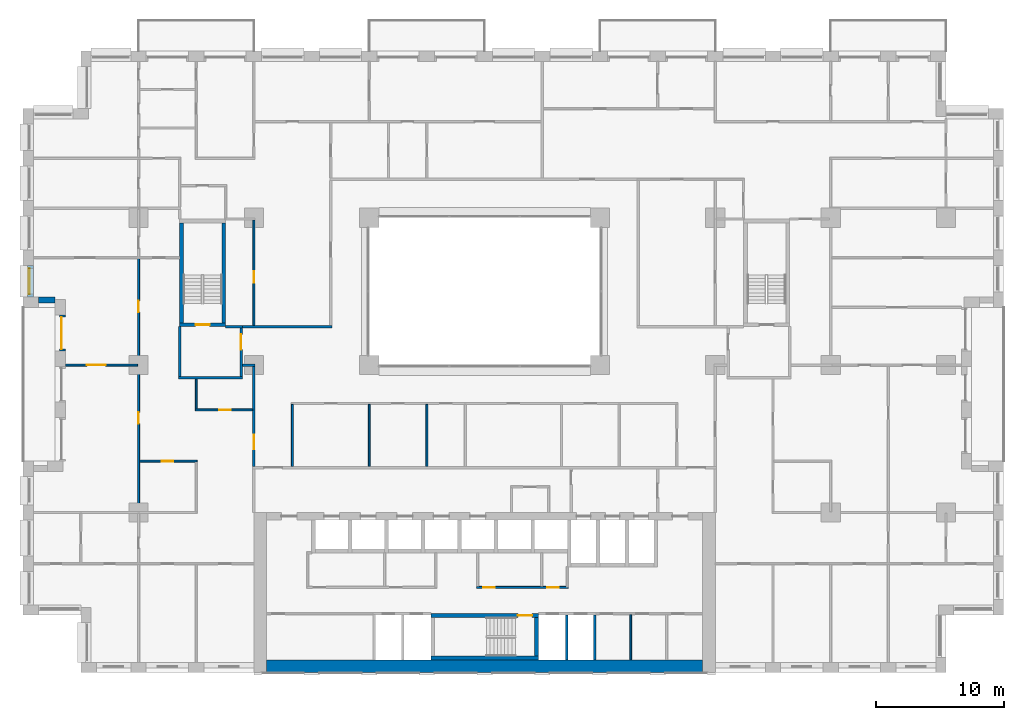
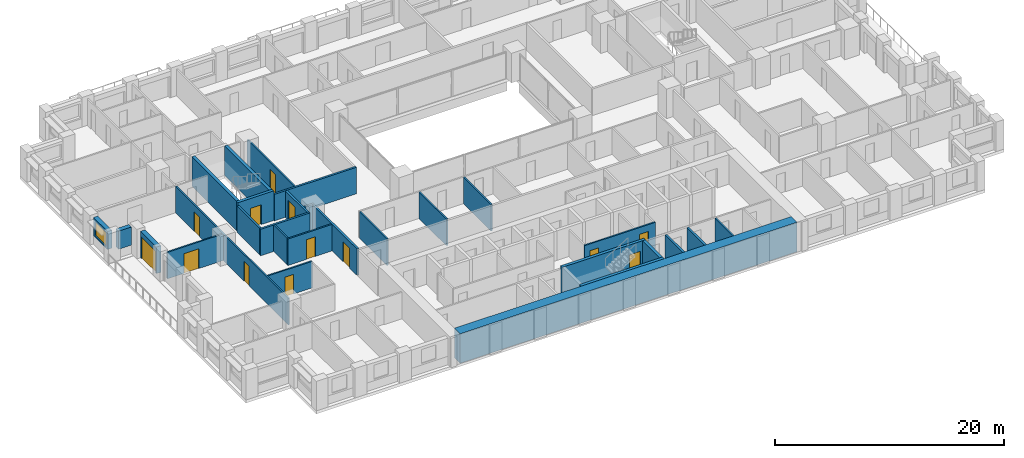
# One storey, part 10 of 20: 30 walls, 13 doors, 1 window, 14 openings.
"""IFC4 building model written with IfcOpenShell, lengths in metres."""

from ifc_helpers import new_model, si_unit, direction, frame, frame_2d, origin, place, context, subcontext, project, spatial, rectangle, extrude, material, layer, layer_set, type_object, element, fill, save


model = new_model("IFC4")

# Units and contexts
model_context = context("Model", 3, precision=1e-05, world=origin(), true_north=direction((0.0, 1.0)))
body_context = subcontext(model_context, "Body", "Model", "MODEL_VIEW")
ifc_project = project(units=[si_unit("LENGTHUNIT", "METRE"), si_unit("AREAUNIT", "SQUARE_METRE"), si_unit("VOLUMEUNIT", "CUBIC_METRE"), si_unit("PLANEANGLEUNIT", "RADIAN"), si_unit("MASSUNIT", "GRAM", prefix="KILO")], contexts=[model_context])

# Site, building, storey
site_placement = place(None, origin())
site = spatial("IfcSite", under=ifc_project, at=site_placement, CompositionType="ELEMENT")
building_placement = place(site_placement, origin())
building = spatial("IfcBuilding", under=site, at=building_placement, Name="Brigalow Station Residences", CompositionType="ELEMENT")
storey_placement = place(building_placement, frame((0.0, 0.0, 63.60009765625)))
storey = spatial("IfcBuildingStorey", under=building, at=storey_placement, Name="L18", CompositionType="ELEMENT", Elevation=63.60009765625)

# Wall, opening, window
ifc_material_1 = material(Name="Clay brick masonry", Category="masonry")
ifc_layer_1 = layer(ifc_material_1, 0.449951171875)
ifc_layer_set_1 = layer_set([ifc_layer_1], Name="BRICK INFILL WALL 450")
wall_type_1 = type_object("IfcWallType", Name="BRICK INFILL WALL 450", PredefinedType="SOLIDWALL", material=ifc_layer_set_1)
wall_1_placement = place(storey_placement, frame((0.574951171875, 31.77490234375, 0.89990234375), z_axis=(0.0, 0.0, 1.0), x_axis=(0.0, -1.0, 0.0)))
wall_1 = element("IfcWall", 1, at=wall_1_placement, inside=storey, type_object=wall_type_1, Name="L18/ewall/W-L18-45", PredefinedType="SOLIDWALL", context=body_context, shape_type="SweptSolid", body=[
    extrude(rectangle(XDim=2.474853515625, YDim=0.449951171875, at=frame_2d((1.2373046875, 0.0))), origin(), (0.0, 0.0, 1.0), 1.929931640625),
])
opening_1_placement = place(wall_1_placement, frame((0.237548828125, 0.0, 0.14990234375)))
opening_1 = element("IfcOpeningElement", 2, at=opening_1_placement, cuts=wall_1, Name="Opening WT-7", PredefinedType="OPENING", context=body_context, shape_type="SweptSolid", body=[
    extrude(rectangle(XDim=2.0, YDim=1.5, at=frame_2d((1.0, 0.75))), frame((0.0, 0.23486328125, 0.0), z_axis=(0.0, -1.0, 0.0), x_axis=(1.0, 0.0, 0.0)), (0.0, 0.0, 1.0), 0.469970703125),
])
ifc_material_2 = material(Name="Anodised aluminium frame with double glazing", Category="aluminium")
window_type = type_object("IfcWindowType", Name="WINDOW 2000x1500", PartitioningType="SINGLE_PANEL", PredefinedType="WINDOW", material=ifc_material_2)
window_placement = place(opening_1_placement, origin())
window = element("IfcWindow", 3, at=window_placement, inside=storey, type_object=window_type, Name="L18/window/W-L18-45", OverallHeight=1.5, OverallWidth=2.0, PartitioningType="SINGLE_PANEL", PredefinedType="WINDOW", context=body_context, shape_type="SweptSolid", body=[
    extrude(rectangle(XDim=2.0, YDim=1.5, at=frame_2d((1.0, 0.75))), frame((0.0, -0.06494140625, 0.0), z_axis=(0.0, -1.0, 0.0), x_axis=(1.0, 0.0, 0.0)), (0.0, 0.0, 1.0), 0.06005859375),
])
fill(opening_1, window)

# Wall
wall_2_placement = place(storey_placement, frame((1.199951171875, 29.074951171875, 0.89990234375), z_axis=(0.0, 0.0, 1.0), x_axis=(1.0, 0.0, 0.0)))
element("IfcWall", 4, at=wall_2_placement, inside=storey, type_object=wall_type_1, Name="L18/ewall/W-L18-46", PredefinedType="SOLIDWALL", context=body_context, shape_type="SweptSolid", body=[
    extrude(rectangle(XDim=1.300048828125, YDim=0.449951171875, at=frame_2d((0.64990234375, 0.0))), origin(), (0.0, 0.0, 1.0), 1.929931640625),
])

# Wall, opening, door
wall_3_placement = place(storey_placement, frame((3.074951171875, 27.89990234375, 0.0), z_axis=(0.0, 0.0, 1.0), x_axis=(0.0, -1.0, 0.0)))
wall_3 = element("IfcWall", 5, at=wall_3_placement, inside=storey, type_object=wall_type_1, Name="L18/ewall/W-L18-47", PredefinedType="SOLIDWALL", context=body_context, shape_type="SweptSolid", body=[
    extrude(rectangle(XDim=2.7998046875, YDim=0.449951171875, at=frame_2d((1.39990234375, 0.0))), origin(), (0.0, 0.0, 1.0), 2.829833984375),
])
opening_2_placement = place(wall_3_placement, frame((0.14990234375, 0.0, 0.0)))
opening_2 = element("IfcOpeningElement", 6, at=opening_2_placement, cuts=wall_3, Name="Opening D-B2500", PredefinedType="OPENING", context=body_context, shape_type="SweptSolid", body=[
    extrude(rectangle(XDim=2.5, YDim=2.300048828125, at=frame_2d((1.25, 1.14990234375))), frame((0.0, 0.23486328125, 0.0), z_axis=(0.0, -1.0, 0.0), x_axis=(1.0, 0.0, 0.0)), (0.0, 0.0, 1.0), 0.469970703125),
])
ifc_material_3 = material(Name="Anodised aluminium frame with double glazing", Category="aluminium")
door_type_1 = type_object("IfcDoorType", Name="BALCONY SLIDING DOOR 2500x2300", OperationType="SLIDING_TO_LEFT", PredefinedType="DOOR", material=ifc_material_3)
door_1_placement = place(opening_2_placement, origin())
door_1 = element("IfcDoor", 7, at=door_1_placement, inside=storey, type_object=door_type_1, Name="L18/balcony-door/W-L18-47", OperationType="SLIDING_TO_LEFT", OverallHeight=2.300048828125, OverallWidth=2.5, PredefinedType="DOOR", context=body_context, shape_type="SweptSolid", body=[
    extrude(rectangle(XDim=2.5, YDim=2.300048828125, at=frame_2d((1.25, 1.14990234375))), frame((0.0, -0.06982421875, 0.0), z_axis=(0.0, -1.0, 0.0), x_axis=(1.0, 0.0, 0.0)), (0.0, 0.0, 1.0), 0.050048828125),
])
fill(opening_2, door_1)

# Walls
ifc_material_4 = material(Name="Concrete C80", Category="concrete")
ifc_layer_2 = layer(ifc_material_4, 1.0)
ifc_layer_set_2 = layer_set([ifc_layer_2], Name="CORE SHEAR WALL 1000 C80")
wall_type_2 = type_object("IfcWallType", Name="CORE SHEAR WALL 1000 C80", PredefinedType="SHEAR", material=ifc_layer_set_2)
wall_4_placement = place(storey_placement, frame((19.0, 0.5, 0.0), z_axis=(0.0, 0.0, 1.0), x_axis=(1.0, 0.0, 0.0)))
element("IfcWall", 8, at=wall_4_placement, inside=storey, type_object=wall_type_2, Name="CORE WALL OUT-S L18", PredefinedType="SHEAR", context=body_context, shape_type="SweptSolid", body=[
    extrude(rectangle(XDim=34.0, YDim=1.0, at=frame_2d((17.0, 0.0))), origin(), (0.0, 0.0, 1.0), 3.14990234375),
])
ifc_material_5 = material(Name="Concrete C80", Category="concrete")
ifc_layer_3 = layer(ifc_material_5, 0.300048828125)
ifc_layer_set_3 = layer_set([ifc_layer_3], Name="CORE SHEAR WALL 300 C80")
wall_type_3 = type_object("IfcWallType", Name="CORE SHEAR WALL 300 C80", PredefinedType="SHEAR", material=ifc_layer_set_3)
wall_5_placement = place(storey_placement, frame((31.800048828125, 1.14990234375, 0.0), z_axis=(0.0, 0.0, 1.0), x_axis=(1.0, 0.0, 0.0)))
element("IfcWall", 9, at=wall_5_placement, inside=storey, type_object=wall_type_3, Name="CORE WALL ST-S2-S L18", PredefinedType="SHEAR", context=body_context, shape_type="SweptSolid", body=[
    extrude(rectangle(XDim=8.39990234375, YDim=0.300048828125, at=frame_2d((4.199951171875, 0.0))), origin(), (0.0, 0.0, 1.0), 3.14990234375),
])

# Wall, opening, door
wall_6_placement = place(storey_placement, frame((31.800048828125, 4.449951171875, 0.0), z_axis=(0.0, 0.0, 1.0), x_axis=(1.0, 0.0, 0.0)))
wall_6 = element("IfcWall", 10, at=wall_6_placement, inside=storey, type_object=wall_type_3, Name="CORE WALL ST-S2-N L18", PredefinedType="SHEAR", context=body_context, shape_type="SweptSolid", body=[
    extrude(rectangle(XDim=8.39990234375, YDim=0.300048828125, at=frame_2d((4.199951171875, 0.0))), origin(), (0.0, 0.0, 1.0), 3.14990234375),
])
opening_3_placement = place(wall_6_placement, frame((6.800048828125, 0.0, 0.0)))
opening_3 = element("IfcOpeningElement", 11, at=opening_3_placement, cuts=wall_6, Name="Opening D-5001", PredefinedType="OPENING", context=body_context, shape_type="SweptSolid", body=[
    extrude(rectangle(XDim=1.10009765625, YDim=2.10009765625, at=frame_2d((0.550048828125, 1.050048828125))), frame((0.0, 0.16015625, 0.0), z_axis=(0.0, -1.0, 0.0), x_axis=(1.0, 0.0, 0.0)), (0.0, 0.0, 1.0), 0.320068359375),
])
ifc_material_6 = material(Name="Steel fire door leaf in steel frame", Category="steel")
door_type_2 = type_object("IfcDoorType", Name="STAIR DOOR 1100 x 2100 FD60S", OperationType="SINGLE_SWING_LEFT", PredefinedType="DOOR", material=ifc_material_6)
door_2_placement = place(opening_3_placement, frame((1.10009765625, 0.0, 0.0), z_axis=(0.0, 0.0, 1.0), x_axis=(-1.0, 0.0, 0.0)))
door_2 = element("IfcDoor", 12, at=door_2_placement, inside=storey, type_object=door_type_2, Name="D-5001", OperationType="SINGLE_SWING_LEFT", OverallHeight=2.10009765625, OverallWidth=1.10009765625, PredefinedType="DOOR", context=body_context, shape_type="SweptSolid", body=[
    extrude(rectangle(XDim=1.10009765625, YDim=2.10009765625, at=frame_2d((0.550048828125, 1.050048828125))), frame((0.0, 0.02490234375, 0.0), z_axis=(0.0, -1.0, 0.0), x_axis=(1.0, 0.0, 0.0)), (0.0, 0.0, 1.0), 0.050048828125),
])
fill(opening_3, door_2)

# Wall
wall_7_placement = place(storey_placement, frame((40.050048828125, 1.300048828125, 0.0), z_axis=(0.0, 0.0, 1.0), x_axis=(0.0, 1.0, 0.0)))
element("IfcWall", 13, at=wall_7_placement, inside=storey, type_object=wall_type_3, Name="CORE WALL ST-S2-E L18", PredefinedType="SHEAR", context=body_context, shape_type="SweptSolid", body=[
    extrude(rectangle(XDim=3.0, YDim=0.300048828125, at=frame_2d((1.5, 0.0))), origin(), (0.0, 0.0, 1.0), 3.14990234375),
])

# Wall, opening, door
wall_8_placement = place(storey_placement, frame((12.199951171875, 27.14990234375, 0.0), z_axis=(0.0, 0.0, 1.0), x_axis=(1.0, 0.0, 0.0)))
wall_8 = element("IfcWall", 14, at=wall_8_placement, inside=storey, type_object=wall_type_3, Name="CORE WALL ST-S1-S L18", PredefinedType="SHEAR", context=body_context, shape_type="SweptSolid", body=[
    extrude(rectangle(XDim=3.60009765625, YDim=0.300048828125, at=frame_2d((1.800048828125, 0.0))), origin(), (0.0, 0.0, 1.0), 3.14990234375),
])
opening_4_placement = place(wall_8_placement, frame((1.25, 0.0, 0.0)))
opening_4 = element("IfcOpeningElement", 15, at=opening_4_placement, cuts=wall_8, Name="Opening D-5015", PredefinedType="OPENING", context=body_context, shape_type="SweptSolid", body=[
    extrude(rectangle(XDim=1.10009765625, YDim=2.10009765625, at=frame_2d((0.550048828125, 1.050048828125))), frame((0.0, 0.16015625, 0.0), z_axis=(0.0, -1.0, 0.0), x_axis=(1.0, 0.0, 0.0)), (0.0, 0.0, 1.0), 0.320068359375),
])
door_3_placement = place(opening_4_placement, origin())
door_3 = element("IfcDoor", 16, at=door_3_placement, inside=storey, type_object=door_type_2, Name="D-5015", OperationType="SINGLE_SWING_LEFT", OverallHeight=2.10009765625, OverallWidth=1.10009765625, PredefinedType="DOOR", context=body_context, shape_type="SweptSolid", body=[
    extrude(rectangle(XDim=1.10009765625, YDim=2.10009765625, at=frame_2d((0.550048828125, 1.050048828125))), frame((0.0, 0.02490234375, 0.0), z_axis=(0.0, -1.0, 0.0), x_axis=(1.0, 0.0, 0.0)), (0.0, 0.0, 1.0), 0.050048828125),
])
fill(opening_4, door_3)

# Walls
for number, where, z_axis, x_axis, name in (
    (17, (12.35009765625, 27.300048828125, 0.0), (0.0, 0.0, 1.0), (0.0, 1.0, 0.0), "CORE WALL ST-S1-W L18"),
    (18, (15.64990234375, 27.300048828125, 0.0), (0.0, 0.0, 1.0), (0.0, 1.0, 0.0), "CORE WALL ST-S1-E L18"),
):
    element("IfcWall", number, at=place(storey_placement, frame(where, z_axis=z_axis, x_axis=x_axis)), inside=storey, type_object=wall_type_3, Name=name, PredefinedType="SHEAR", context=body_context, shape_type="SweptSolid", body=[
        extrude(rectangle(XDim=7.800048828125, YDim=0.300048828125, at=frame_2d((3.89990234375, 0.0))), origin(), (0.0, 0.0, 1.0), 3.14990234375),
    ])
ifc_material_7 = material(Name="Concrete blockwork", Category="masonry")
ifc_layer_4 = layer(ifc_material_7, 0.199951171875)
ifc_layer_set_4 = layer_set([ifc_layer_4], Name="FIRE RATED CORE PARTITION 200")
wall_type_4 = type_object("IfcWallType", Name="FIRE RATED CORE PARTITION 200", PredefinedType="PARTITIONING", material=ifc_layer_set_4)
wall_9_placement = place(storey_placement, frame((12.10009765625, 23.0, 0.0), z_axis=(0.0, 0.0, 1.0), x_axis=(1.0, 0.0, 0.0)))
element("IfcWall", 19, at=wall_9_placement, inside=storey, type_object=wall_type_4, Name="PW-5023", PredefinedType="PARTITIONING", context=body_context, shape_type="SweptSolid", body=[
    extrude(rectangle(XDim=5.0, YDim=0.199951171875, at=frame_2d((2.5, 0.0))), origin(), (0.0, 0.0, 1.0), 2.829833984375),
])
wall_10_placement = place(storey_placement, frame((15.800048828125, 27.0, 0.0), z_axis=(0.0, 0.0, 1.0), x_axis=(1.0, 0.0, 0.0)))
element("IfcWall", 20, at=wall_10_placement, inside=storey, type_object=wall_type_4, Name="PW-5025", PredefinedType="PARTITIONING", context=body_context, shape_type="SweptSolid", body=[
    extrude(rectangle(XDim=1.300048828125, YDim=0.199951171875, at=frame_2d((0.64990234375, 0.0))), origin(), (0.0, 0.0, 1.0), 2.829833984375),
])
for number, where, z_axis, x_axis, name in (
    (21, (42.39990234375, 1.0, 0.0), (0.0, 0.0, 1.0), (0.0, 1.0, 0.0), "PW-5007"),
    (22, (44.60009765625, 1.0, 0.0), (0.0, 0.0, 1.0), (0.0, 1.0, 0.0), "PW-5008"),
):
    element("IfcWall", number, at=place(storey_placement, frame(where, z_axis=z_axis, x_axis=x_axis)), inside=storey, type_object=wall_type_4, Name=name, PredefinedType="PARTITIONING", context=body_context, shape_type="SweptSolid", body=[
        extrude(rectangle(XDim=3.5, YDim=0.199951171875, at=frame_2d((1.75, 0.0))), origin(), (0.0, 0.0, 1.0), 2.829833984375),
    ])
wall_11_placement = place(storey_placement, frame((12.199951171875, 23.10009765625, 0.0), z_axis=(0.0, 0.0, 1.0), x_axis=(0.0, 1.0, 0.0)))
element("IfcWall", 23, at=wall_11_placement, inside=storey, type_object=wall_type_4, Name="PW-5034", PredefinedType="PARTITIONING", context=body_context, shape_type="SweptSolid", body=[
    extrude(rectangle(XDim=3.89990234375, YDim=0.199951171875, at=frame_2d((1.949951171875, 0.0))), origin(), (0.0, 0.0, 1.0), 2.829833984375),
])

# Wall, opening, door
wall_12_placement = place(storey_placement, frame((17.0, 23.10009765625, 0.0), z_axis=(0.0, 0.0, 1.0), x_axis=(0.0, 1.0, 0.0)))
wall_12 = element("IfcWall", 24, at=wall_12_placement, inside=storey, type_object=wall_type_4, Name="PW-5035", PredefinedType="PARTITIONING", context=body_context, shape_type="SweptSolid", body=[
    extrude(rectangle(XDim=3.7998046875, YDim=0.199951171875, at=frame_2d((1.89990234375, 0.0))), origin(), (0.0, 0.0, 1.0), 2.829833984375),
])
opening_5_placement = place(wall_12_placement, frame((2.10009765625, 0.0, 0.0)))
opening_5 = element("IfcOpeningElement", 25, at=opening_5_placement, cuts=wall_12, Name="Opening D-5016", PredefinedType="OPENING", context=body_context, shape_type="SweptSolid", body=[
    extrude(rectangle(XDim=1.199951171875, YDim=2.10009765625, at=frame_2d((0.60009765625, 1.050048828125))), frame((0.0, 0.10986328125, 0.0), z_axis=(0.0, -1.0, 0.0), x_axis=(1.0, 0.0, 0.0)), (0.0, 0.0, 1.0), 0.219970703125),
])
ifc_material_8 = material(Name="Steel fire door leaf in steel frame", Category="steel")
door_type_3 = type_object("IfcDoorType", Name="STAIR LOBBY DOOR 1200 x 2100 FD60S", OperationType="SINGLE_SWING_LEFT", PredefinedType="DOOR", material=ifc_material_8)
door_4_placement = place(opening_5_placement, origin())
door_4 = element("IfcDoor", 26, at=door_4_placement, inside=storey, type_object=door_type_3, Name="D-5016", OperationType="SINGLE_SWING_RIGHT", OverallHeight=2.10009765625, OverallWidth=1.199951171875, PredefinedType="DOOR", context=body_context, shape_type="SweptSolid", body=[
    extrude(rectangle(XDim=1.199951171875, YDim=2.10009765625, at=frame_2d((0.60009765625, 1.050048828125))), frame((0.0, 0.02490234375, 0.0), z_axis=(0.0, -1.0, 0.0), x_axis=(1.0, 0.0, 0.0)), (0.0, 0.0, 1.0), 0.050048828125),
])
fill(opening_5, door_4)

ifc_material_9 = material(Name="Plasterboard on steel stud partition", Category="steel")
ifc_layer_5 = layer(ifc_material_9, 0.14990234375)
ifc_layer_set_5 = layer_set([ifc_layer_5], Name="FLAT PARTITION 150")
wall_type_5 = type_object("IfcWallType", Name="FLAT PARTITION 150", PredefinedType="PARTITIONING", material=ifc_layer_set_5)
wall_13_placement = place(storey_placement, frame((3.300048828125, 24.0, 0.0), z_axis=(0.0, 0.0, 1.0), x_axis=(1.0, 0.0, 0.0)))
wall_13 = element("IfcWall", 27, at=wall_13_placement, inside=storey, type_object=wall_type_5, Name="PW-1F02", PredefinedType="PARTITIONING", context=body_context, shape_type="SweptSolid", body=[
    extrude(rectangle(XDim=5.625, YDim=0.14990234375, at=frame_2d((2.8125, 0.0))), origin(), (0.0, 0.0, 1.0), 2.829833984375),
])
opening_6_placement = place(wall_13_placement, frame((1.64990234375, 0.0, 0.0)))
opening_6 = element("IfcOpeningElement", 28, at=opening_6_placement, cuts=wall_13, Name="Opening D-1F08", PredefinedType="OPENING", context=body_context, shape_type="SweptSolid", body=[
    extrude(rectangle(XDim=1.5, YDim=2.10009765625, at=frame_2d((0.75, 1.050048828125))), frame((0.0, 0.0849609375, 0.0), z_axis=(0.0, -1.0, 0.0), x_axis=(1.0, 0.0, 0.0)), (0.0, 0.0, 1.0), 0.169921875),
])
ifc_material_10 = material(Name="Solid-core timber door leaf", Category="wood")
door_type_4 = type_object("IfcDoorType", Name="INTERNAL DOUBLE DOOR 1500 x 2100", OperationType="DOUBLE_DOOR_SINGLE_SWING", PredefinedType="DOOR", material=ifc_material_10)
door_5_placement = place(opening_6_placement, origin())
door_5 = element("IfcDoor", 29, at=door_5_placement, inside=storey, type_object=door_type_4, Name="D-1F08", OperationType="DOUBLE_DOOR_SINGLE_SWING", OverallHeight=2.10009765625, OverallWidth=1.5, PredefinedType="DOOR", context=body_context, shape_type="SweptSolid", body=[
    extrude(rectangle(XDim=1.5, YDim=2.10009765625, at=frame_2d((0.75, 1.050048828125))), frame((0.0, 0.02490234375, 0.0), z_axis=(0.0, -1.0, 0.0), x_axis=(1.0, 0.0, 0.0)), (0.0, 0.0, 1.0), 0.050048828125),
])
fill(opening_6, door_5)

wall_14_placement = place(storey_placement, frame((13.425048828125, 20.5, 0.0), z_axis=(0.0, 0.0, 1.0), x_axis=(1.0, 0.0, 0.0)))
wall_14 = element("IfcWall", 30, at=wall_14_placement, inside=storey, type_object=wall_type_5, Name="PW-1F15", PredefinedType="PARTITIONING", context=body_context, shape_type="SweptSolid", body=[
    extrude(rectangle(XDim=4.474853515625, YDim=0.14990234375, at=frame_2d((2.2373046875, 0.0))), origin(), (0.0, 0.0, 1.0), 2.829833984375),
])
opening_7_placement = place(wall_14_placement, frame((1.875, 0.0, 0.0)))
opening_7 = element("IfcOpeningElement", 31, at=opening_7_placement, cuts=wall_14, Name="Opening D-1F14", PredefinedType="OPENING", context=body_context, shape_type="SweptSolid", body=[
    extrude(rectangle(XDim=0.89990234375, YDim=2.10009765625, at=frame_2d((0.449951171875, 1.050048828125))), frame((0.0, 0.0849609375, 0.0), z_axis=(0.0, -1.0, 0.0), x_axis=(1.0, 0.0, 0.0)), (0.0, 0.0, 1.0), 0.169921875),
])
ifc_material_11 = material(Name="Solid-core timber door leaf", Category="wood")
door_type_5 = type_object("IfcDoorType", Name="INTERNAL DOOR 900 x 2100", OperationType="SINGLE_SWING_LEFT", PredefinedType="DOOR", material=ifc_material_11)
door_6_placement = place(opening_7_placement, origin())
door_6 = element("IfcDoor", 32, at=door_6_placement, inside=storey, type_object=door_type_5, Name="D-1F14", OperationType="SINGLE_SWING_RIGHT", OverallHeight=2.10009765625, OverallWidth=0.89990234375, PredefinedType="DOOR", context=body_context, shape_type="SweptSolid", body=[
    extrude(rectangle(XDim=0.89990234375, YDim=2.10009765625, at=frame_2d((0.449951171875, 1.050048828125))), frame((0.0, 0.02490234375, 0.0), z_axis=(0.0, -1.0, 0.0), x_axis=(1.0, 0.0, 0.0)), (0.0, 0.0, 1.0), 0.050048828125),
])
fill(opening_7, door_6)

wall_15_placement = place(storey_placement, frame((9.074951171875, 16.5, 0.0), z_axis=(0.0, 0.0, 1.0), x_axis=(1.0, 0.0, 0.0)))
wall_15 = element("IfcWall", 33, at=wall_15_placement, inside=storey, type_object=wall_type_5, Name="PW-1F16", PredefinedType="PARTITIONING", context=body_context, shape_type="SweptSolid", body=[
    extrude(rectangle(XDim=4.5, YDim=0.14990234375, at=frame_2d((2.25, 0.0))), origin(), (0.0, 0.0, 1.0), 2.829833984375),
])
opening_8_placement = place(wall_15_placement, frame((1.72509765625, 0.0, 0.0)))
opening_8 = element("IfcOpeningElement", 34, at=opening_8_placement, cuts=wall_15, Name="Opening D-1F03", PredefinedType="OPENING", context=body_context, shape_type="SweptSolid", body=[
    extrude(rectangle(XDim=0.89990234375, YDim=2.10009765625, at=frame_2d((0.449951171875, 1.050048828125))), frame((0.0, 0.0849609375, 0.0), z_axis=(0.0, -1.0, 0.0), x_axis=(1.0, 0.0, 0.0)), (0.0, 0.0, 1.0), 0.169921875),
])
door_7_placement = place(opening_8_placement, frame((0.89990234375, 0.0, 0.0), z_axis=(0.0, 0.0, 1.0), x_axis=(-1.0, 0.0, 0.0)))
door_7 = element("IfcDoor", 35, at=door_7_placement, inside=storey, type_object=door_type_5, Name="D-1F03", OperationType="SINGLE_SWING_LEFT", OverallHeight=2.10009765625, OverallWidth=0.89990234375, PredefinedType="DOOR", context=body_context, shape_type="SweptSolid", body=[
    extrude(rectangle(XDim=0.89990234375, YDim=2.10009765625, at=frame_2d((0.449951171875, 1.050048828125))), frame((0.0, 0.02490234375, 0.0), z_axis=(0.0, -1.0, 0.0), x_axis=(1.0, 0.0, 0.0)), (0.0, 0.0, 1.0), 0.050048828125),
])
fill(opening_8, door_7)

wall_16_placement = place(storey_placement, frame((18.0, 27.10009765625, 0.0), z_axis=(0.0, 0.0, 1.0), x_axis=(0.0, 1.0, 0.0)))
wall_16 = element("IfcWall", 36, at=wall_16_placement, inside=storey, type_object=wall_type_5, Name="PW-1F38", PredefinedType="PARTITIONING", context=body_context, shape_type="SweptSolid", body=[
    extrude(rectangle(XDim=8.224853515625, YDim=0.14990234375, at=frame_2d((4.1123046875, 0.0))), origin(), (0.0, 0.0, 1.0), 2.829833984375),
])
opening_9_placement = place(wall_16_placement, frame((3.324951171875, 0.0, 0.0)))
opening_9 = element("IfcOpeningElement", 37, at=opening_9_placement, cuts=wall_16, Name="Opening D-1F29", PredefinedType="OPENING", context=body_context, shape_type="SweptSolid", body=[
    extrude(rectangle(XDim=0.89990234375, YDim=2.10009765625, at=frame_2d((0.449951171875, 1.050048828125))), frame((0.0, 0.0849609375, 0.0), z_axis=(0.0, -1.0, 0.0), x_axis=(1.0, 0.0, 0.0)), (0.0, 0.0, 1.0), 0.169921875),
])
door_8_placement = place(opening_9_placement, origin())
door_8 = element("IfcDoor", 38, at=door_8_placement, inside=storey, type_object=door_type_5, Name="D-1F29", OperationType="SINGLE_SWING_LEFT", OverallHeight=2.10009765625, OverallWidth=0.89990234375, PredefinedType="DOOR", context=body_context, shape_type="SweptSolid", body=[
    extrude(rectangle(XDim=0.89990234375, YDim=2.10009765625, at=frame_2d((0.449951171875, 1.050048828125))), frame((0.0, 0.02490234375, 0.0), z_axis=(0.0, -1.0, 0.0), x_axis=(1.0, 0.0, 0.0)), (0.0, 0.0, 1.0), 0.050048828125),
])
fill(opening_9, door_8)

# Wall
wall_17_placement = place(storey_placement, frame((21.0, 16.10009765625, 0.0), z_axis=(0.0, 0.0, 1.0), x_axis=(0.0, 1.0, 0.0)))
element("IfcWall", 39, at=wall_17_placement, inside=storey, type_object=wall_type_5, Name="PW-1F44", PredefinedType="PARTITIONING", context=body_context, shape_type="SweptSolid", body=[
    extrude(rectangle(XDim=4.824951171875, YDim=0.14990234375, at=frame_2d((2.41259765625, 0.0))), origin(), (0.0, 0.0, 1.0), 2.829833984375),
])

# Wall, openings, doors
wall_18_placement = place(storey_placement, frame((9.0, 12.574951171875, 0.0), z_axis=(0.0, 0.0, 1.0), x_axis=(0.0, 1.0, 0.0)))
wall_18 = element("IfcWall", 40, at=wall_18_placement, inside=storey, type_object=wall_type_5, Name="PW-1F51", PredefinedType="PARTITIONING", context=body_context, shape_type="SweptSolid", body=[
    extrude(rectangle(XDim=19.72509765625, YDim=0.14990234375, at=frame_2d((9.862548828125, 0.0))), origin(), (0.0, 0.0, 1.0), 2.829833984375),
])
opening_10_placement = place(wall_18_placement, frame((15.537109375, 0.0, 0.0)))
opening_10 = element("IfcOpeningElement", 41, at=opening_10_placement, cuts=wall_18, Name="Opening D-1F07", PredefinedType="OPENING", context=body_context, shape_type="SweptSolid", body=[
    extrude(rectangle(XDim=0.89990234375, YDim=2.10009765625, at=frame_2d((0.449951171875, 1.050048828125))), frame((0.0, 0.0849609375, 0.0), z_axis=(0.0, -1.0, 0.0), x_axis=(1.0, 0.0, 0.0)), (0.0, 0.0, 1.0), 0.169921875),
])
opening_11_placement = place(wall_18_placement, frame((6.85009765625, 0.0, 0.0)))
opening_11 = element("IfcOpeningElement", 42, at=opening_11_placement, cuts=wall_18, Name="Opening D-1F13", PredefinedType="OPENING", context=body_context, shape_type="SweptSolid", body=[
    extrude(rectangle(XDim=0.89990234375, YDim=2.10009765625, at=frame_2d((0.449951171875, 1.050048828125))), frame((0.0, 0.0849609375, 0.0), z_axis=(0.0, -1.0, 0.0), x_axis=(1.0, 0.0, 0.0)), (0.0, 0.0, 1.0), 0.169921875),
])
door_9_placement = place(opening_10_placement, origin())
door_9 = element("IfcDoor", 43, at=door_9_placement, inside=storey, type_object=door_type_5, Name="D-1F07", OperationType="SINGLE_SWING_RIGHT", OverallHeight=2.10009765625, OverallWidth=0.89990234375, PredefinedType="DOOR", context=body_context, shape_type="SweptSolid", body=[
    extrude(rectangle(XDim=0.89990234375, YDim=2.10009765625, at=frame_2d((0.449951171875, 1.050048828125))), frame((0.0, 0.02490234375, 0.0), z_axis=(0.0, -1.0, 0.0), x_axis=(1.0, 0.0, 0.0)), (0.0, 0.0, 1.0), 0.050048828125),
])
fill(opening_10, door_9)
door_10_placement = place(opening_11_placement, origin())
door_10 = element("IfcDoor", 44, at=door_10_placement, inside=storey, type_object=door_type_5, Name="D-1F13", OperationType="SINGLE_SWING_RIGHT", OverallHeight=2.10009765625, OverallWidth=0.89990234375, PredefinedType="DOOR", context=body_context, shape_type="SweptSolid", body=[
    extrude(rectangle(XDim=0.89990234375, YDim=2.10009765625, at=frame_2d((0.449951171875, 1.050048828125))), frame((0.0, 0.02490234375, 0.0), z_axis=(0.0, -1.0, 0.0), x_axis=(1.0, 0.0, 0.0)), (0.0, 0.0, 1.0), 0.050048828125),
])
fill(opening_11, door_10)

# Walls
wall_19_placement = place(storey_placement, frame((13.5, 20.574951171875, 0.0), z_axis=(0.0, 0.0, 1.0), x_axis=(0.0, 1.0, 0.0)))
element("IfcWall", 45, at=wall_19_placement, inside=storey, type_object=wall_type_5, Name="PW-1F57", PredefinedType="PARTITIONING", context=body_context, shape_type="SweptSolid", body=[
    extrude(rectangle(XDim=2.324951171875, YDim=0.14990234375, at=frame_2d((1.16259765625, 0.0))), origin(), (0.0, 0.0, 1.0), 2.829833984375),
])
for number, where, z_axis, x_axis, name in (
    (46, (27.0, 16.10009765625, 0.0), (0.0, 0.0, 1.0), (0.0, 1.0, 0.0), "PW-1F63"),
    (47, (31.5, 16.10009765625, 0.0), (0.0, 0.0, 1.0), (0.0, 1.0, 0.0), "PW-1F66"),
):
    element("IfcWall", number, at=place(storey_placement, frame(where, z_axis=z_axis, x_axis=x_axis)), inside=storey, type_object=wall_type_5, Name=name, PredefinedType="PARTITIONING", context=body_context, shape_type="SweptSolid", body=[
        extrude(rectangle(XDim=4.824951171875, YDim=0.14990234375, at=frame_2d((2.41259765625, 0.0))), origin(), (0.0, 0.0, 1.0), 2.829833984375),
    ])
ifc_material_12 = material(Name="Plasterboard on steel stud partition", Category="steel")
ifc_layer_6 = layer(ifc_material_12, 0.199951171875)
ifc_layer_set_6 = layer_set([ifc_layer_6], Name="PARTY AND CORRIDOR WALL 200")
wall_type_6 = type_object("IfcWallType", Name="PARTY AND CORRIDOR WALL 200", PredefinedType="PARTITIONING", material=ifc_layer_set_6)
wall_20_placement = place(storey_placement, frame((17.10009765625, 24.0, 0.0), z_axis=(0.0, 0.0, 1.0), x_axis=(1.0, 0.0, 0.0)))
element("IfcWall", 48, at=wall_20_placement, inside=storey, type_object=wall_type_6, Name="PW-1F04", PredefinedType="PARTITIONING", context=body_context, shape_type="SweptSolid", body=[
    extrude(rectangle(XDim=1.0, YDim=0.199951171875, at=frame_2d((0.5, 0.0))), origin(), (0.0, 0.0, 1.0), 2.829833984375),
])
wall_21_placement = place(storey_placement, frame((17.10009765625, 27.0, 0.0), z_axis=(0.0, 0.0, 1.0), x_axis=(1.0, 0.0, 0.0)))
element("IfcWall", 49, at=wall_21_placement, inside=storey, type_object=wall_type_6, Name="PW-1F07", PredefinedType="PARTITIONING", context=body_context, shape_type="SweptSolid", body=[
    extrude(rectangle(XDim=7.0, YDim=0.199951171875, at=frame_2d((3.5, 0.0))), origin(), (0.0, 0.0, 1.0), 2.829833984375),
])

# Wall, opening, door
wall_22_placement = place(storey_placement, frame((18.0, 16.10009765625, 0.0), z_axis=(0.0, 0.0, 1.0), x_axis=(0.0, 1.0, 0.0)))
wall_22 = element("IfcWall", 50, at=wall_22_placement, inside=storey, type_object=wall_type_6, Name="PW-1F40", PredefinedType="PARTITIONING", context=body_context, shape_type="SweptSolid", body=[
    extrude(rectangle(XDim=7.7998046875, YDim=0.199951171875, at=frame_2d((3.89990234375, 0.0))), origin(), (0.0, 0.0, 1.0), 2.829833984375),
])
opening_12_placement = place(wall_22_placement, frame((1.35009765625, 0.0, 0.0)))
opening_12 = element("IfcOpeningElement", 51, at=opening_12_placement, cuts=wall_22, Name="Opening D-1F17", PredefinedType="OPENING", context=body_context, shape_type="SweptSolid", body=[
    extrude(rectangle(XDim=1.10009765625, YDim=2.10009765625, at=frame_2d((0.550048828125, 1.050048828125))), frame((0.0, 0.10986328125, 0.0), z_axis=(0.0, -1.0, 0.0), x_axis=(1.0, 0.0, 0.0)), (0.0, 0.0, 1.0), 0.219970703125),
])
ifc_material_13 = material(Name="Solid-core timber door leaf", Category="wood")
door_type_6 = type_object("IfcDoorType", Name="FLAT ENTRANCE DOOR 1100 x 2100 FRL -/60/30", OperationType="SINGLE_SWING_LEFT", PredefinedType="DOOR", material=ifc_material_13)
door_11_placement = place(opening_12_placement, origin())
door_11 = element("IfcDoor", 52, at=door_11_placement, inside=storey, type_object=door_type_6, Name="D-1F17", OperationType="SINGLE_SWING_RIGHT", OverallHeight=2.10009765625, OverallWidth=1.10009765625, PredefinedType="DOOR", context=body_context, shape_type="SweptSolid", body=[
    extrude(rectangle(XDim=1.10009765625, YDim=2.10009765625, at=frame_2d((0.550048828125, 1.050048828125))), frame((0.0, 0.02490234375, 0.0), z_axis=(0.0, -1.0, 0.0), x_axis=(1.0, 0.0, 0.0)), (0.0, 0.0, 1.0), 0.050048828125),
])
fill(opening_12, door_11)

# Wall, openings, doors
ifc_material_14 = material(Name="Plasterboard on steel studs", Category="steel")
ifc_layer_7 = layer(ifc_material_14, 0.14990234375)
ifc_layer_set_7 = layer_set([ifc_layer_7], Name="SERVICE ROOM PARTITION 150")
wall_type_7 = type_object("IfcWallType", Name="SERVICE ROOM PARTITION 150", PredefinedType="PARTITIONING", material=ifc_layer_set_7)
wall_23_placement = place(storey_placement, frame((35.375, 6.64990234375, 0.0), z_axis=(0.0, 0.0, 1.0), x_axis=(1.0, 0.0, 0.0)))
wall_23 = element("IfcWall", 53, at=wall_23_placement, inside=storey, type_object=wall_type_7, Name="PW-5149", PredefinedType="PARTITIONING", context=body_context, shape_type="SweptSolid", body=[
    extrude(rectangle(XDim=7.14990234375, YDim=0.14990234375, at=frame_2d((3.574951171875, 0.0))), origin(), (0.0, 0.0, 1.0), 2.829833984375),
])
opening_13_placement = place(wall_23_placement, frame((0.52490234375, 0.0, 0.0)))
opening_13 = element("IfcOpeningElement", 54, at=opening_13_placement, cuts=wall_23, Name="Opening D-5084", PredefinedType="OPENING", context=body_context, shape_type="SweptSolid", body=[
    extrude(rectangle(XDim=0.89990234375, YDim=2.10009765625, at=frame_2d((0.449951171875, 1.050048828125))), frame((0.0, 0.0849609375, 0.0), z_axis=(0.0, -1.0, 0.0), x_axis=(1.0, 0.0, 0.0)), (0.0, 0.0, 1.0), 0.169921875),
])
opening_14_placement = place(wall_23_placement, frame((5.52490234375, 0.0, 0.0)))
opening_14 = element("IfcOpeningElement", 55, at=opening_14_placement, cuts=wall_23, Name="Opening D-5034", PredefinedType="OPENING", context=body_context, shape_type="SweptSolid", body=[
    extrude(rectangle(XDim=0.89990234375, YDim=2.10009765625, at=frame_2d((0.449951171875, 1.050048828125))), frame((0.0, 0.0849609375, 0.0), z_axis=(0.0, -1.0, 0.0), x_axis=(1.0, 0.0, 0.0)), (0.0, 0.0, 1.0), 0.169921875),
])
ifc_material_15 = material(Name="Steel door leaf in steel frame", Category="steel")
door_type_7 = type_object("IfcDoorType", Name="SERVICE ROOM DOOR 900 x 2100 FD60", OperationType="SINGLE_SWING_LEFT", PredefinedType="DOOR", material=ifc_material_15)
door_12_placement = place(opening_13_placement, origin())
door_12 = element("IfcDoor", 56, at=door_12_placement, inside=storey, type_object=door_type_7, Name="D-5084", OperationType="SINGLE_SWING_LEFT", OverallHeight=2.10009765625, OverallWidth=0.89990234375, PredefinedType="DOOR", context=body_context, shape_type="SweptSolid", body=[
    extrude(rectangle(XDim=0.89990234375, YDim=2.10009765625, at=frame_2d((0.449951171875, 1.050048828125))), frame((0.0, 0.02490234375, 0.0), z_axis=(0.0, -1.0, 0.0), x_axis=(1.0, 0.0, 0.0)), (0.0, 0.0, 1.0), 0.050048828125),
])
fill(opening_13, door_12)
door_13_placement = place(opening_14_placement, origin())
door_13 = element("IfcDoor", 57, at=door_13_placement, inside=storey, type_object=door_type_7, Name="D-5034", OperationType="SINGLE_SWING_LEFT", OverallHeight=2.10009765625, OverallWidth=0.89990234375, PredefinedType="DOOR", context=body_context, shape_type="SweptSolid", body=[
    extrude(rectangle(XDim=0.89990234375, YDim=2.10009765625, at=frame_2d((0.449951171875, 1.050048828125))), frame((0.0, 0.02490234375, 0.0), z_axis=(0.0, -1.0, 0.0), x_axis=(1.0, 0.0, 0.0)), (0.0, 0.0, 1.0), 0.050048828125),
])
fill(opening_14, door_13)

# Wall
wall_24_placement = place(storey_placement, frame((47.39990234375, 1.0, 0.0), z_axis=(0.0, 0.0, 1.0), x_axis=(0.0, 1.0, 0.0)))
element("IfcWall", 58, at=wall_24_placement, inside=storey, type_object=wall_type_7, Name="PW-5150", PredefinedType="PARTITIONING", context=body_context, shape_type="SweptSolid", body=[
    extrude(rectangle(XDim=3.52490234375, YDim=0.14990234375, at=frame_2d((1.762451171875, 0.0))), origin(), (0.0, 0.0, 1.0), 2.829833984375),
])

save(model, "model.ifc")
